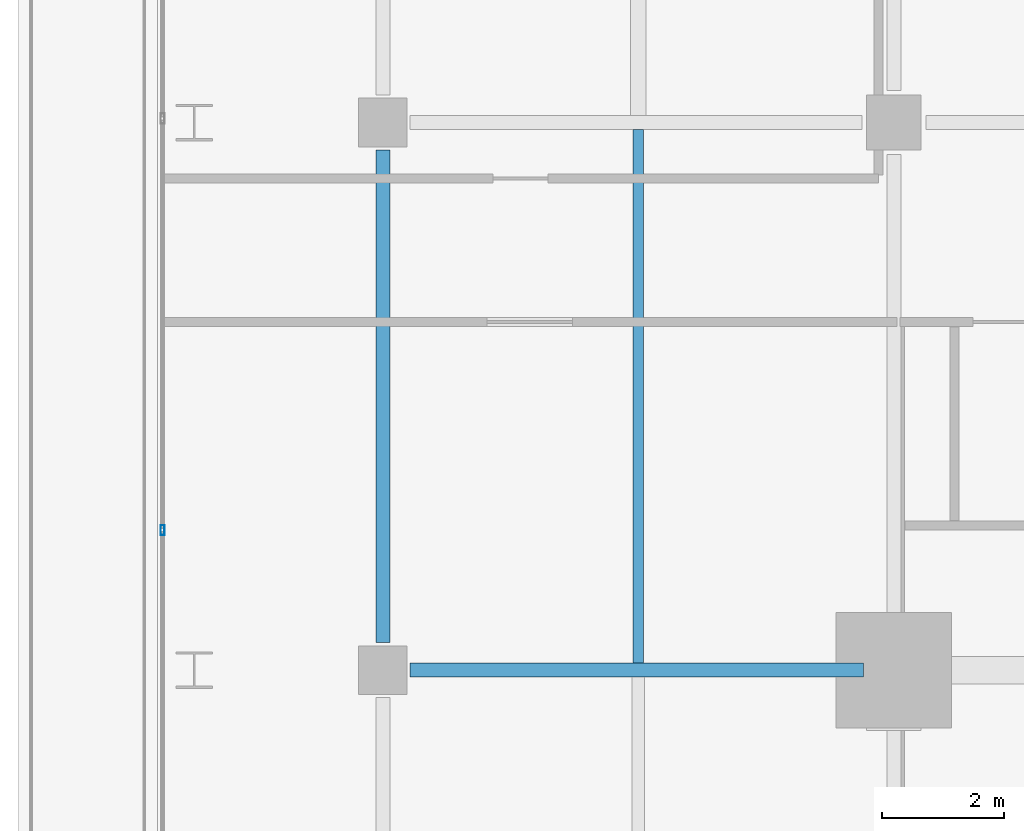
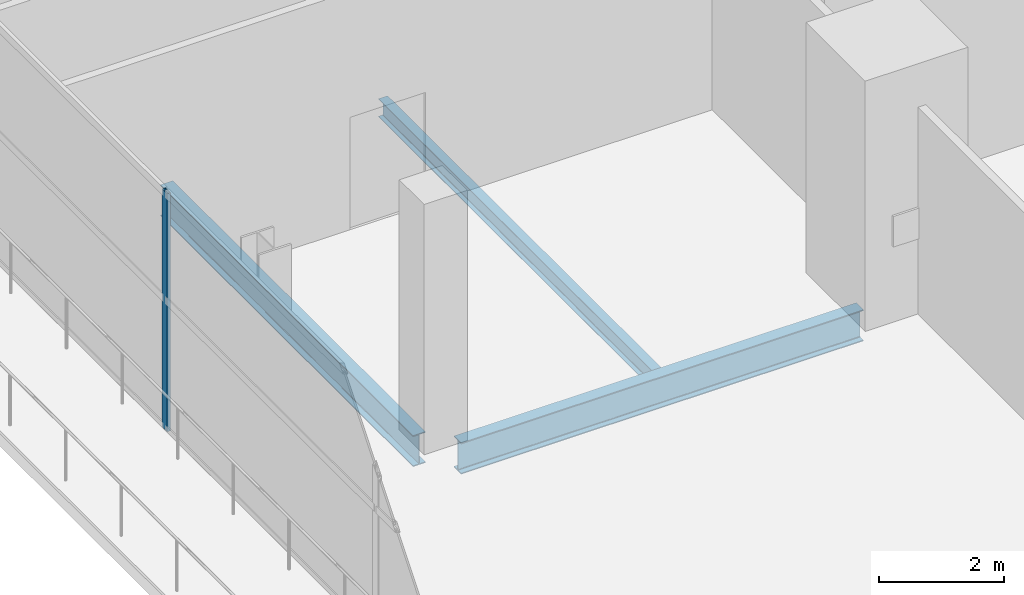
# One storey, part 9 of 31: 3 beams, 1 member, 1 element without a shape of its own.
"""IFC4 building model written with IfcOpenShell, lengths in metres."""

from ifc_helpers import new_model, si_unit, direction, frame, origin, origin_2d, place, context, subcontext, project, spatial, hollow_rectangle, i_section, extrude, material, layer, layer_set, material_profile, profile_set, type_object, element, aggregate, save


model = new_model("IFC4")

# Units and contexts
model_context = context("Model", 3, precision=1e-05, world=origin(), true_north=direction((0.0, 1.0)))
body_context = subcontext(model_context, "Body", "Model", "MODEL_VIEW")
ifc_project = project(units=[si_unit("LENGTHUNIT", "METRE"), si_unit("AREAUNIT", "SQUARE_METRE"), si_unit("VOLUMEUNIT", "CUBIC_METRE"), si_unit("PLANEANGLEUNIT", "RADIAN"), si_unit("MASSUNIT", "GRAM", prefix="KILO")], contexts=[model_context])

# Site, building, storey
site_placement = place(None, origin())
site = spatial("IfcSite", under=ifc_project, at=site_placement, CompositionType="ELEMENT")
building_placement = place(site_placement, origin())
building = spatial("IfcBuilding", under=site, at=building_placement, Name="Maruvema Waterfront Hotel and Observation Tower", CompositionType="ELEMENT")
storey_placement = place(building_placement, frame((0.0, 0.0, 122.5)))
storey = spatial("IfcBuildingStorey", under=building, at=storey_placement, Name="L29", CompositionType="ELEMENT", Elevation=122.5)

# Curtain wall, member
ifc_material_1 = material(Name="Anodised bronze aluminium and solar-control low-E IGU", Category="aluminium")
ifc_layer = layer(ifc_material_1, 0.159912109375, Name="Zone 2 Amber Inner Thermal Curtain Wall System CW-03")
ifc_layer_set = layer_set([ifc_layer], Name="Anodised bronze aluminium and solar-control low-E IGU")
curtain_wall_type = type_object("IfcCurtainWallType", Name="Zone 2 Amber Inner Thermal Curtain Wall System CW-03", PredefinedType="USERDEFINED", material=ifc_layer_set)
curtain_wall_placement = place(storey_placement, origin())
curtain_wall = element("IfcCurtainWall", 1, at=curtain_wall_placement, inside=storey, type_object=curtain_wall_type, Name="L29 Curtain Wall CW-L29-W", ObjectType="UNITISED CURTAIN WALL", PredefinedType="USERDEFINED")
ifc_material_2 = material(Name="Anodised architectural bronze aluminium", Category="aluminium")
ifc_material_profile_1 = material_profile(ifc_material_2, hollow_rectangle(XDim=0.06494140625, YDim=0.1650390625, WallThickness=0.00390625, at=origin_2d()), Name="ALU-M65x165")
ifc_profile_set_1 = profile_set([ifc_material_profile_1], Name="Anodised architectural bronze aluminium")
member_type = type_object("IfcMemberType", Name="Curtain Wall Primary Mullion ALU-M65x165", PredefinedType="MULLION", material=ifc_profile_set_1)
member_placement = place(storey_placement, frame((13.179931640625, 29.300048828125, 0.0), z_axis=(0.0, 0.0, 1.0), x_axis=(1.0, 0.0, 0.0)))
member = element("IfcMember", 2, at=member_placement, type_object=member_type, Name="CW-03 mullion 4", PredefinedType="MULLION", context=body_context, shape_type="SweptSolid", body=[
    extrude(hollow_rectangle(XDim=0.06494140625, YDim=0.1650390625, WallThickness=0.00390625, at=origin_2d()), origin(), (0.0, 0.0, 1.0), 4.659912109375),
])
aggregate(curtain_wall, [member])

# Beams
ifc_material_3 = material(Name="Steel ASTM A572 Grade 50", Category="steel")
ifc_material_profile_2 = material_profile(ifc_material_3, i_section(OverallWidth=0.22900390625, OverallDepth=0.612060546875, WebThickness=0.011962890625, FlangeThickness=0.01953125, FilletRadius=0.01806640625, at=origin_2d()), Name="W610x125.0")
ifc_profile_set_2 = profile_set([ifc_material_profile_2], Name="Steel ASTM A572 Grade 50")
beam_type_1 = type_object("IfcBeamType", Name="Primary Floor Girder W610x125.0", PredefinedType="BEAM", material=ifc_profile_set_2)
beam_1_placement = place(storey_placement, frame((17.25, 27.0, -0.5458984375), z_axis=(1.0, 0.0, 0.0), x_axis=(0.0, 1.0, 0.0)))
element("IfcBeam", 3, at=beam_1_placement, inside=storey, type_object=beam_type_1, Name="L29 Floor Girder EW-11", PredefinedType="BEAM", context=body_context, shape_type="SweptSolid", body=[
    extrude(i_section(OverallWidth=0.22900390625, OverallDepth=0.612060546875, WebThickness=0.011962890625, FlangeThickness=0.01953125, FilletRadius=0.01806640625, at=origin_2d()), origin(), (0.0, 0.0, 1.0), 7.449951171875),
])
beam_2_placement = place(storey_placement, frame((16.800048828125, 27.449951171875, -0.5458984375), z_axis=(0.0, 1.0, 0.0), x_axis=(-1.0, 0.0, 0.0)))
element("IfcBeam", 4, at=beam_2_placement, inside=storey, type_object=beam_type_1, Name="L29 Floor Girder NS-03", PredefinedType="BEAM", context=body_context, shape_type="SweptSolid", body=[
    extrude(i_section(OverallWidth=0.22900390625, OverallDepth=0.612060546875, WebThickness=0.011962890625, FlangeThickness=0.01953125, FilletRadius=0.01806640625, at=origin_2d()), origin(), (0.0, 0.0, 1.0), 8.10009765625),
])
ifc_material_4 = material(Name="Steel ASTM A572 Grade 50", Category="steel")
ifc_material_profile_3 = material_profile(ifc_material_4, i_section(OverallWidth=0.1708984375, OverallDepth=0.35498046875, WebThickness=0.007080078125, FlangeThickness=0.01171875, FilletRadius=0.014892578125, at=origin_2d()), Name="W360x51.0")
ifc_profile_set_3 = profile_set([ifc_material_profile_3], Name="Steel ASTM A572 Grade 50")
beam_type_2 = type_object("IfcBeamType", Name="Secondary Floor Joist W360x51.0", PredefinedType="JOIST", material=ifc_profile_set_3)
beam_3_placement = place(storey_placement, frame((21.0, 27.114501953125, -0.41748046875), z_axis=(0.0, 1.0, 0.0), x_axis=(-1.0, 0.0, 0.0)))
element("IfcBeam", 5, at=beam_3_placement, inside=storey, type_object=beam_type_2, Name="L29 Secondary Floor Joist JS-03", PredefinedType="JOIST", context=body_context, shape_type="SweptSolid", body=[
    extrude(i_section(OverallWidth=0.1708984375, OverallDepth=0.35498046875, WebThickness=0.007080078125, FlangeThickness=0.01171875, FilletRadius=0.014892578125, at=origin_2d()), origin(), (0.0, 0.0, 1.0), 8.77099609375),
])

save(model, "model.ifc")
